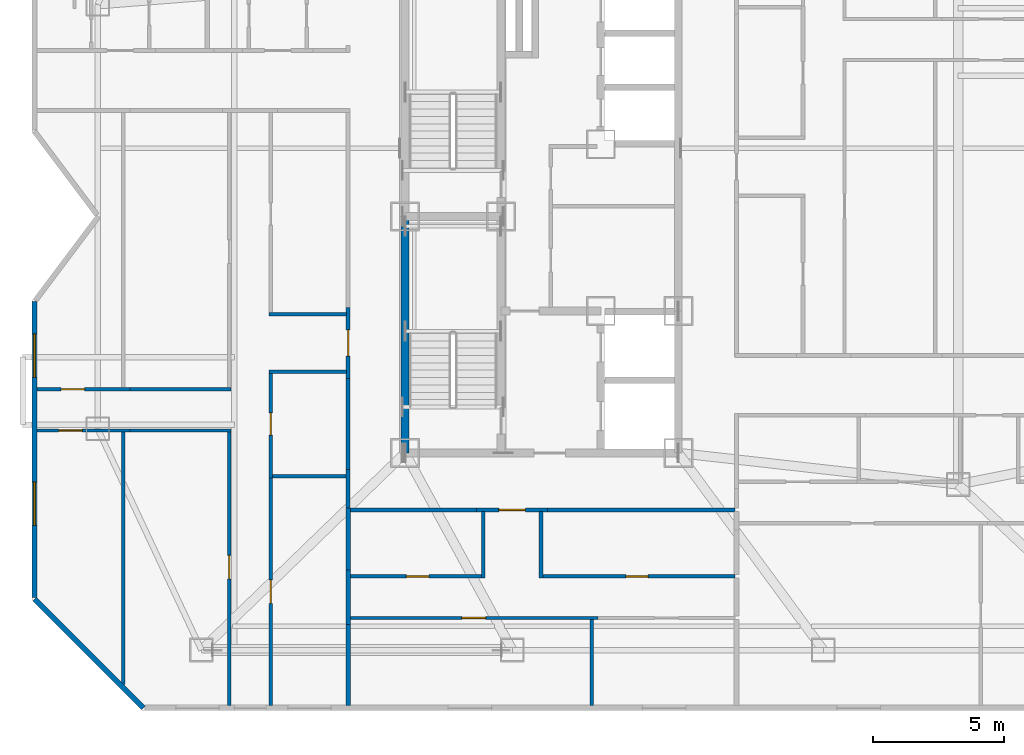
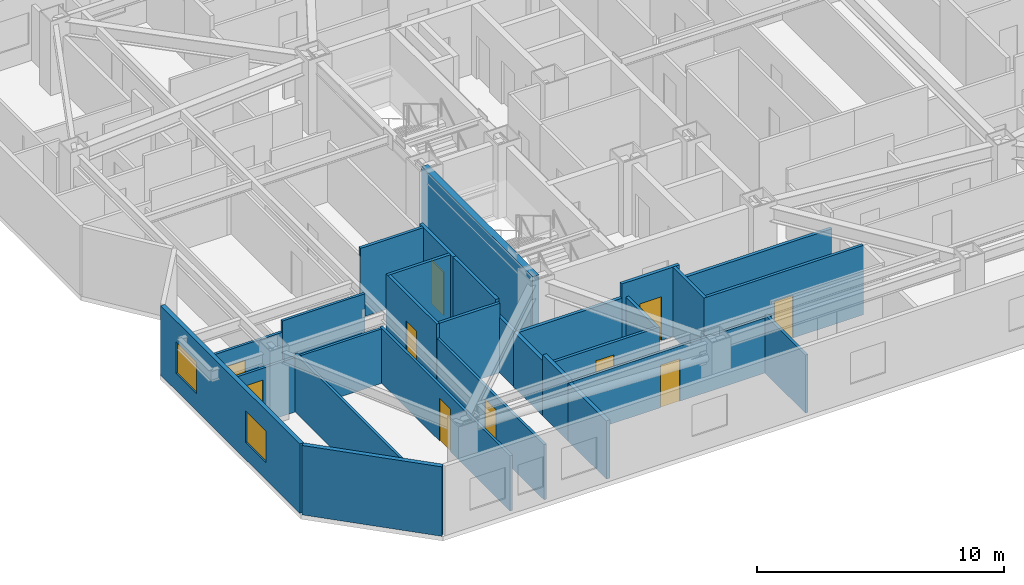
# One storey, part 5 of 12: 29 walls, 10 doors, 2 windows, 12 openings.
"""IFC4 building model written with IfcOpenShell, lengths in metres."""

from ifc_helpers import new_model, si_unit, direction, frame, frame_2d, origin, place, context, subcontext, project, spatial, rectangle, extrude, material, layer, layer_set, type_object, element, fill, save


model = new_model("IFC4")

# Units and contexts
model_context = context("Model", 3, precision=1e-05, world=origin(), true_north=direction((0.0, 1.0)))
body_context = subcontext(model_context, "Body", "Model", "MODEL_VIEW")
ifc_project = project(units=[si_unit("LENGTHUNIT", "METRE"), si_unit("AREAUNIT", "SQUARE_METRE"), si_unit("VOLUMEUNIT", "CUBIC_METRE"), si_unit("PLANEANGLEUNIT", "RADIAN"), si_unit("MASSUNIT", "GRAM", prefix="KILO")], contexts=[model_context])

# Site, building, storey
site_placement = place(None, origin())
site = spatial("IfcSite", under=ifc_project, at=site_placement, CompositionType="ELEMENT")
building_placement = place(site_placement, origin())
building = spatial("IfcBuilding", under=site, at=building_placement, Name="Khamvora Tower", CompositionType="ELEMENT")
storey_placement = place(building_placement, frame((0.0, 0.0, 177.800048828125)))
storey = spatial("IfcBuildingStorey", under=building, at=storey_placement, Name="L45", CompositionType="ELEMENT", Elevation=177.800048828125)

# Walls
ifc_material_1 = material(Name="Concrete C50/60", Category="concrete")
ifc_layer_1 = layer(ifc_material_1, 0.300048828125)
ifc_layer_set_1 = layer_set([ifc_layer_1], Name="Concrete C50/60")
wall_type_1 = type_object("IfcWallType", Name="WAL-CORE-300", PredefinedType="SHEAR", material=ifc_layer_set_1)
wall_1_placement = place(storey_placement, frame((29.0, 19.0, 0.0), z_axis=(0.0, 0.0, 1.0), x_axis=(0.0, 1.0, 0.0)))
element("IfcWall", 1, at=wall_1_placement, inside=storey, type_object=wall_type_1, Name="L45 central core west south wall", PredefinedType="SHEAR", context=body_context, shape_type="SweptSolid", body=[
    extrude(rectangle(XDim=9.0, YDim=0.300048828125, at=frame_2d((4.5, 0.0))), origin(), (0.0, 0.0, 1.0), 3.429931640625),
])
ifc_material_2 = material(Name="Fire-Rated Drywall and Steel Stud", Category="steel")
ifc_layer_2 = layer(ifc_material_2, 0.14990234375)
ifc_layer_set_2 = layer_set([ifc_layer_2], Name="Fire-Rated Drywall and Steel Stud")
wall_type_2 = type_object("IfcWallType", Name="WAL-CORR-150", PredefinedType="STANDARD", material=ifc_layer_set_2)
wall_2_placement = place(storey_placement, frame((26.8349609375, 16.89990234375, 0.0), z_axis=(0.0, 0.0, 1.0), x_axis=(0.0, 1.0, 0.0)))
element("IfcWall", 2, at=wall_2_placement, inside=storey, type_object=wall_type_2, Name="L45 interior partition wall 005", PredefinedType="STANDARD", context=body_context, shape_type="SweptSolid", body=[
    extrude(rectangle(XDim=1.468017578125, YDim=0.14990234375, at=frame_2d((0.73388671875, 0.0))), origin(), (0.0, 0.0, 1.0), 2.724853515625),
])

# Wall, opening, door
wall_3_placement = place(storey_placement, frame((26.8349609375, 21.8349609375, 0.0), z_axis=(0.0, 0.0, 1.0), x_axis=(0.0, 1.0, 0.0)))
wall_3 = element("IfcWall", 3, at=wall_3_placement, inside=storey, type_object=wall_type_2, Name="L45 interior partition wall 006", PredefinedType="STANDARD", context=body_context, shape_type="SweptSolid", body=[
    extrude(rectangle(XDim=2.697998046875, YDim=0.14990234375, at=frame_2d((1.34912109375, 0.0))), origin(), (0.0, 0.0, 1.0), 3.429931640625),
])
opening_1_placement = place(wall_3_placement, frame((0.84912109375, 0.0, 0.0)))
opening_1 = element("IfcOpeningElement", 4, at=opening_1_placement, cuts=wall_3, Name="Opening D-U1", PredefinedType="OPENING", context=body_context, shape_type="SweptSolid", body=[
    extrude(rectangle(XDim=1.0, YDim=2.14990234375, at=frame_2d((0.5, 1.074951171875))), frame((0.0, 0.0849609375, 0.0), z_axis=(0.0, -1.0, 0.0), x_axis=(1.0, 0.0, 0.0)), (0.0, 0.0, 1.0), 0.169921875),
])
ifc_material_3 = material(Name="Powder-Coated Steel and Hardwood Leaf", Category="steel")
door_type_1 = type_object("IfcDoorType", Name="DOR-UNIT-1000", OperationType="NOTDEFINED", PredefinedType="DOOR", material=ifc_material_3)
door_1_placement = place(opening_1_placement, origin())
door_1 = element("IfcDoor", 5, at=door_1_placement, inside=storey, type_object=door_type_1, Name="L45 interior door COR-45WAH", OperationType="SINGLE_SWING_RIGHT", OverallHeight=2.14990234375, OverallWidth=1.0, PredefinedType="DOOR", context=body_context, shape_type="SweptSolid", body=[
    extrude(rectangle(XDim=1.0, YDim=2.14990234375, at=frame_2d((0.5, 1.074951171875))), frame((0.0, 0.02490234375, 0.0), z_axis=(0.0, -1.0, 0.0), x_axis=(1.0, 0.0, 0.0)), (0.0, 0.0, 1.0), 0.050048828125),
])
fill(opening_1, door_1)

# Wall
wall_4_placement = place(storey_placement, frame((26.8349609375, 18.367919921875, 0.0), z_axis=(0.0, 0.0, 1.0), x_axis=(0.0, 1.0, 0.0)))
element("IfcWall", 6, at=wall_4_placement, inside=storey, type_object=wall_type_2, Name="L45 interior partition wall 008", PredefinedType="STANDARD", context=body_context, shape_type="SweptSolid", body=[
    extrude(rectangle(XDim=3.467041015625, YDim=0.14990234375, at=frame_2d((1.7333984375, 0.0))), origin(), (0.0, 0.0, 1.0), 3.429931640625),
])

# Wall, opening, door
wall_5_placement = place(storey_placement, frame((34.424072265625, 16.8349609375, 0.0), z_axis=(0.0, 0.0, 1.0), x_axis=(-1.0, 0.0, 0.0)))
wall_5 = element("IfcWall", 7, at=wall_5_placement, inside=storey, type_object=wall_type_2, Name="L45 interior partition wall 019", PredefinedType="STANDARD", context=body_context, shape_type="SweptSolid", body=[
    extrude(rectangle(XDim=2.697998046875, YDim=0.14990234375, at=frame_2d((1.34912109375, 0.0))), origin(), (0.0, 0.0, 1.0), 3.429931640625),
])
opening_2_placement = place(wall_5_placement, frame((0.84912109375, 0.0, 0.0)))
opening_2 = element("IfcOpeningElement", 8, at=opening_2_placement, cuts=wall_5, Name="Opening D-U1", PredefinedType="OPENING", context=body_context, shape_type="SweptSolid", body=[
    extrude(rectangle(XDim=1.0, YDim=2.14990234375, at=frame_2d((0.5, 1.074951171875))), frame((0.0, 0.0849609375, 0.0), z_axis=(0.0, -1.0, 0.0), x_axis=(1.0, 0.0, 0.0)), (0.0, 0.0, 1.0), 0.169921875),
])
door_2_placement = place(opening_2_placement, origin())
door_2 = element("IfcDoor", 9, at=door_2_placement, inside=storey, type_object=door_type_1, Name="L45 interior door COR-45SAH", OperationType="SINGLE_SWING_LEFT", OverallHeight=2.14990234375, OverallWidth=1.0, PredefinedType="DOOR", context=body_context, shape_type="SweptSolid", body=[
    extrude(rectangle(XDim=1.0, YDim=2.14990234375, at=frame_2d((0.5, 1.074951171875))), frame((0.0, 0.02490234375, 0.0), z_axis=(0.0, -1.0, 0.0), x_axis=(1.0, 0.0, 0.0)), (0.0, 0.0, 1.0), 0.050048828125),
])
fill(opening_2, door_2)

# Walls
wall_6_placement = place(storey_placement, frame((31.72607421875, 16.8349609375, 0.0), z_axis=(0.0, 0.0, 1.0), x_axis=(-1.0, 0.0, 0.0)))
element("IfcWall", 10, at=wall_6_placement, inside=storey, type_object=wall_type_2, Name="L45 interior partition wall 020", PredefinedType="STANDARD", context=body_context, shape_type="SweptSolid", body=[
    extrude(rectangle(XDim=4.826171875, YDim=0.14990234375, at=frame_2d((2.4130859375, 0.0))), origin(), (0.0, 0.0, 1.0), 2.724853515625),
])
wall_7_placement = place(storey_placement, frame((41.550048828125, 16.8349609375, 0.0), z_axis=(0.0, 0.0, 1.0), x_axis=(-1.0, 0.0, 0.0)))
element("IfcWall", 11, at=wall_7_placement, inside=storey, type_object=wall_type_2, Name="L45 interior partition wall 021", PredefinedType="STANDARD", context=body_context, shape_type="SweptSolid", body=[
    extrude(rectangle(XDim=7.1259765625, YDim=0.14990234375, at=frame_2d((3.56298828125, 0.0))), origin(), (0.0, 0.0, 1.0), 2.724853515625),
])
ifc_material_4 = material(Name="Acoustic Double-Stud Fire Wall", Category="gypsum")
ifc_layer_3 = layer(ifc_material_4, 0.179931640625)
ifc_layer_set_3 = layer_set([ifc_layer_3], Name="Acoustic Double-Stud Fire Wall")
wall_type_3 = type_object("IfcWallType", Name="WAL-CORR-180", PredefinedType="STANDARD", material=ifc_layer_set_3)
wall_8_placement = place(storey_placement, frame((26.8349609375, 14.553955078125, 0.0), z_axis=(0.0, 0.0, 1.0), x_axis=(0.0, -1.0, 0.0)))
element("IfcWall", 12, at=wall_8_placement, inside=storey, type_object=wall_type_3, Name="L45 interior partition wall 045", PredefinedType="STANDARD", context=body_context, shape_type="SweptSolid", body=[
    extrude(rectangle(XDim=2.077880859375, YDim=0.179931640625, at=frame_2d((1.0390625, 0.0))), origin(), (0.0, 0.0, 1.0), 3.012939453125),
])
wall_9_placement = place(storey_placement, frame((26.8349609375, 16.89990234375, 0.0), z_axis=(0.0, 0.0, 1.0), x_axis=(0.0, -1.0, 0.0)))
element("IfcWall", 13, at=wall_9_placement, inside=storey, type_object=wall_type_3, Name="L45 interior partition wall 046", PredefinedType="STANDARD", context=body_context, shape_type="SweptSolid", body=[
    extrude(rectangle(XDim=2.345947265625, YDim=0.179931640625, at=frame_2d((1.1728515625, 0.0))), origin(), (0.0, 0.0, 1.0), 2.724853515625),
])
wall_10_placement = place(storey_placement, frame((26.8349609375, 12.47607421875, 0.0), z_axis=(0.0, 0.0, 1.0), x_axis=(0.0, -1.0, 0.0)))
element("IfcWall", 14, at=wall_10_placement, inside=storey, type_object=wall_type_3, Name="L45 interior partition wall 047", PredefinedType="STANDARD", context=body_context, shape_type="SweptSolid", body=[
    extrude(rectangle(XDim=3.083984375, YDim=0.179931640625, at=frame_2d((1.5419921875, 0.0))), origin(), (0.0, 0.0, 1.0), 2.8759765625),
])
ifc_material_5 = material(Name="Precast concrete C40/50", Category="concrete")
ifc_layer_4 = layer(ifc_material_5, 0.199951171875)
ifc_layer_set_4 = layer_set([ifc_layer_4], Name="Precast concrete C40/50")
wall_type_4 = type_object("IfcWallType", Name="WAL-EXT-200", PredefinedType="STANDARD", material=ifc_layer_set_4)
wall_11_placement = place(storey_placement, frame((19.041015625, 9.300048828125, 0.0), z_axis=(0.0, 0.0, 1.0), x_axis=(-0.707127625344, 0.707085936414, 0.0)))
element("IfcWall", 15, at=wall_11_placement, inside=storey, type_object=wall_type_4, Name="L45 exterior facade wall 01.1", PredefinedType="STANDARD", context=body_context, shape_type="SweptSolid", body=[
    extrude(rectangle(XDim=5.856201171875, YDim=0.199951171875, at=frame_2d((2.92822265625, 0.0))), origin(), (0.0, 0.0, 1.0), 3.429931640625),
])

# Wall, openings, windows
wall_12_placement = place(storey_placement, frame((14.89990234375, 13.50390625, 0.0), z_axis=(0.0, 0.0, 1.0), x_axis=(0.0, 1.0, 0.0)))
wall_12 = element("IfcWall", 16, at=wall_12_placement, inside=storey, type_object=wall_type_4, Name="L45 exterior facade wall 02.1", PredefinedType="STANDARD", context=body_context, shape_type="SweptSolid", body=[
    extrude(rectangle(XDim=11.26318359375, YDim=0.199951171875, at=frame_2d((5.631591796875, 0.0))), origin(), (0.0, 0.0, 1.0), 3.429931640625),
])
opening_3_placement = place(wall_12_placement, frame((2.742919921875, 0.0, 0.85009765625)))
opening_3 = element("IfcOpeningElement", 17, at=opening_3_placement, cuts=wall_12, Name="Opening WN-06", PredefinedType="OPENING", context=body_context, shape_type="SweptSolid", body=[
    extrude(rectangle(XDim=1.64990234375, YDim=1.550048828125, at=frame_2d((0.824951171875, 0.77490234375))), frame((0.0, 0.10986328125, 0.0), z_axis=(0.0, -1.0, 0.0), x_axis=(1.0, 0.0, 0.0)), (0.0, 0.0, 1.0), 0.219970703125),
])
opening_4_placement = place(wall_12_placement, frame((8.375, 0.0, 0.85009765625)))
opening_4 = element("IfcOpeningElement", 18, at=opening_4_placement, cuts=wall_12, Name="Opening WN-06", PredefinedType="OPENING", context=body_context, shape_type="SweptSolid", body=[
    extrude(rectangle(XDim=1.64990234375, YDim=1.550048828125, at=frame_2d((0.824951171875, 0.77490234375))), frame((0.0, 0.10986328125, 0.0), z_axis=(0.0, -1.0, 0.0), x_axis=(1.0, 0.0, 0.0)), (0.0, 0.0, 1.0), 0.219970703125),
])
ifc_material_6 = material(Name="Low-E Laminated Double Glazing", Category="glass")
window_type = type_object("IfcWindowType", Name="WIN-VIS-1650x1550", PartitioningType="SINGLE_PANEL", PredefinedType="WINDOW", material=ifc_material_6)
window_1_placement = place(opening_3_placement, origin())
window_1 = element("IfcWindow", 19, at=window_1_placement, inside=storey, type_object=window_type, Name="L45 vision window 02.1.01", OverallHeight=1.550048828125, OverallWidth=1.64990234375, PartitioningType="SINGLE_PANEL", PredefinedType="WINDOW", context=body_context, shape_type="SweptSolid", body=[
    extrude(rectangle(XDim=1.64990234375, YDim=1.550048828125, at=frame_2d((0.824951171875, 0.77490234375))), frame((0.0, 0.030029296875, 0.0), z_axis=(0.0, -1.0, 0.0), x_axis=(1.0, 0.0, 0.0)), (0.0, 0.0, 1.0), 0.06005859375),
])
fill(opening_3, window_1)
window_2_placement = place(opening_4_placement, origin())
window_2 = element("IfcWindow", 20, at=window_2_placement, inside=storey, type_object=window_type, Name="L45 vision window 02.1.02", OverallHeight=1.550048828125, OverallWidth=1.64990234375, PartitioningType="SINGLE_PANEL", PredefinedType="WINDOW", context=body_context, shape_type="SweptSolid", body=[
    extrude(rectangle(XDim=1.64990234375, YDim=1.550048828125, at=frame_2d((0.824951171875, 0.77490234375))), frame((0.0, 0.030029296875, 0.0), z_axis=(0.0, -1.0, 0.0), x_axis=(1.0, 0.0, 0.0)), (0.0, 0.0, 1.0), 0.06005859375),
])
fill(opening_4, window_2)

# Wall, opening, door
ifc_material_7 = material(Name="Gypsum Plasterboard Partition", Category="gypsum")
ifc_layer_5 = layer(ifc_material_7, 0.1201171875)
ifc_layer_set_5 = layer_set([ifc_layer_5], Name="Gypsum Plasterboard Partition")
wall_type_5 = type_object("IfcWallType", Name="WAL-PART-120", PredefinedType="PARTITIONING", material=ifc_layer_set_5)
wall_13_placement = place(storey_placement, frame((23.889892578125, 9.39208984375, 0.0), z_axis=(0.0, 0.0, 1.0), x_axis=(0.0, 1.0, 0.0)))
wall_13 = element("IfcWall", 21, at=wall_13_placement, inside=storey, type_object=wall_type_5, Name="L45 interior partition wall 043", PredefinedType="PARTITIONING", context=body_context, shape_type="SweptSolid", body=[
    extrude(rectangle(XDim=8.661865234375, YDim=0.1201171875, at=frame_2d((4.3310546875, 0.0))), origin(), (0.0, 0.0, 1.0), 2.724853515625),
])
opening_5_placement = place(wall_13_placement, frame((3.881103515625, 0.0, 0.0)))
opening_5 = element("IfcOpeningElement", 22, at=opening_5_placement, cuts=wall_13, Name="Opening D-RM1", PredefinedType="OPENING", context=body_context, shape_type="SweptSolid", body=[
    extrude(rectangle(XDim=0.89990234375, YDim=2.10009765625, at=frame_2d((0.449951171875, 1.050048828125))), frame((0.0, 0.070068359375, 0.0), z_axis=(0.0, -1.0, 0.0), x_axis=(1.0, 0.0, 0.0)), (0.0, 0.0, 1.0), 0.14013671875),
])
door_type_2 = type_object("IfcDoorType", Name="DOR-ROOM-900", OperationType="NOTDEFINED", PredefinedType="DOOR", material=ifc_material_3)
door_3_placement = place(opening_5_placement, origin())
door_3 = element("IfcDoor", 23, at=door_3_placement, inside=storey, type_object=door_type_2, Name="L45 interior door 45WAW1-45WAH", OperationType="SINGLE_SWING_RIGHT", OverallHeight=2.10009765625, OverallWidth=0.89990234375, PredefinedType="DOOR", context=body_context, shape_type="SweptSolid", body=[
    extrude(rectangle(XDim=0.89990234375, YDim=2.10009765625, at=frame_2d((0.449951171875, 1.050048828125))), frame((0.0, 0.02490234375, 0.0), z_axis=(0.0, -1.0, 0.0), x_axis=(1.0, 0.0, 0.0)), (0.0, 0.0, 1.0), 0.050048828125),
])
fill(opening_5, door_3)

wall_14_placement = place(storey_placement, frame((18.52294921875, 19.85498046875, 0.0), z_axis=(0.0, 0.0, 1.0), x_axis=(-1.0, 0.0, 0.0)))
wall_14 = element("IfcWall", 24, at=wall_14_placement, inside=storey, type_object=wall_type_5, Name="L45 interior partition wall 052", PredefinedType="PARTITIONING", context=body_context, shape_type="SweptSolid", body=[
    extrude(rectangle(XDim=3.531005859375, YDim=0.1201171875, at=frame_2d((1.765625, 0.0))), origin(), (0.0, 0.0, 1.0), 2.68701171875),
])
opening_6_placement = place(wall_14_placement, frame((1.81005859375, 0.0, 0.0)))
opening_6 = element("IfcOpeningElement", 25, at=opening_6_placement, cuts=wall_14, Name="Opening D-RM1", PredefinedType="OPENING", context=body_context, shape_type="SweptSolid", body=[
    extrude(rectangle(XDim=0.89990234375, YDim=2.10009765625, at=frame_2d((0.449951171875, 1.050048828125))), frame((0.0, 0.070068359375, 0.0), z_axis=(0.0, -1.0, 0.0), x_axis=(1.0, 0.0, 0.0)), (0.0, 0.0, 1.0), 0.14013671875),
])
door_4_placement = place(opening_6_placement, origin())
door_4 = element("IfcDoor", 26, at=door_4_placement, inside=storey, type_object=door_type_2, Name="L45 interior door 45WAH-45WAL", OperationType="SINGLE_SWING_RIGHT", OverallHeight=2.10009765625, OverallWidth=0.89990234375, PredefinedType="DOOR", context=body_context, shape_type="SweptSolid", body=[
    extrude(rectangle(XDim=0.89990234375, YDim=2.10009765625, at=frame_2d((0.449951171875, 1.050048828125))), frame((0.0, 0.02490234375, 0.0), z_axis=(0.0, -1.0, 0.0), x_axis=(1.0, 0.0, 0.0)), (0.0, 0.0, 1.0), 0.050048828125),
])
fill(opening_6, door_4)

wall_15_placement = place(storey_placement, frame((22.31005859375, 9.39208984375, 0.0), z_axis=(0.0, 0.0, 1.0), x_axis=(0.0, 1.0, 0.0)))
wall_15 = element("IfcWall", 27, at=wall_15_placement, inside=storey, type_object=wall_type_5, Name="L45 interior partition wall 053", PredefinedType="PARTITIONING", context=body_context, shape_type="SweptSolid", body=[
    extrude(rectangle(XDim=10.52783203125, YDim=0.1201171875, at=frame_2d((5.263916015625, 0.0))), origin(), (0.0, 0.0, 1.0), 2.724853515625),
])
opening_7_placement = place(wall_15_placement, frame((4.81396484375, 0.0, 0.0)))
opening_7 = element("IfcOpeningElement", 28, at=opening_7_placement, cuts=wall_15, Name="Opening D-RM1", PredefinedType="OPENING", context=body_context, shape_type="SweptSolid", body=[
    extrude(rectangle(XDim=0.89990234375, YDim=2.10009765625, at=frame_2d((0.449951171875, 1.050048828125))), frame((0.0, 0.070068359375, 0.0), z_axis=(0.0, -1.0, 0.0), x_axis=(1.0, 0.0, 0.0)), (0.0, 0.0, 1.0), 0.14013671875),
])
door_5_placement = place(opening_7_placement, origin())
door_5 = element("IfcDoor", 29, at=door_5_placement, inside=storey, type_object=door_type_2, Name="L45 interior door 45WAH-45WAR2", OperationType="SINGLE_SWING_RIGHT", OverallHeight=2.10009765625, OverallWidth=0.89990234375, PredefinedType="DOOR", context=body_context, shape_type="SweptSolid", body=[
    extrude(rectangle(XDim=0.89990234375, YDim=2.10009765625, at=frame_2d((0.449951171875, 1.050048828125))), frame((0.0, 0.02490234375, 0.0), z_axis=(0.0, -1.0, 0.0), x_axis=(1.0, 0.0, 0.0)), (0.0, 0.0, 1.0), 0.050048828125),
])
fill(opening_7, door_5)

# Wall
wall_16_placement = place(storey_placement, frame((22.375, 19.85498046875, 0.0), z_axis=(0.0, 0.0, 1.0), x_axis=(-1.0, 0.0, 0.0)))
element("IfcWall", 30, at=wall_16_placement, inside=storey, type_object=wall_type_5, Name="L45 interior partition wall 054", PredefinedType="PARTITIONING", context=body_context, shape_type="SweptSolid", body=[
    extrude(rectangle(XDim=3.85205078125, YDim=0.1201171875, at=frame_2d((1.926025390625, 0.0))), origin(), (0.0, 0.0, 1.0), 2.68701171875),
])

# Wall, opening, door
wall_17_placement = place(storey_placement, frame((14.991943359375, 21.425048828125, 0.0), z_axis=(0.0, 0.0, 1.0), x_axis=(1.0, 0.0, 0.0)))
wall_17 = element("IfcWall", 31, at=wall_17_placement, inside=storey, type_object=wall_type_5, Name="L45 interior partition wall 055", PredefinedType="PARTITIONING", context=body_context, shape_type="SweptSolid", body=[
    extrude(rectangle(XDim=3.531005859375, YDim=0.1201171875, at=frame_2d((1.765625, 0.0))), origin(), (0.0, 0.0, 1.0), 2.8759765625),
])
opening_8_placement = place(wall_17_placement, frame((0.916015625, 0.0, 0.0)))
opening_8 = element("IfcOpeningElement", 32, at=opening_8_placement, cuts=wall_17, Name="Opening D-RM1", PredefinedType="OPENING", context=body_context, shape_type="SweptSolid", body=[
    extrude(rectangle(XDim=0.89990234375, YDim=2.10009765625, at=frame_2d((0.449951171875, 1.050048828125))), frame((0.0, 0.070068359375, 0.0), z_axis=(0.0, -1.0, 0.0), x_axis=(1.0, 0.0, 0.0)), (0.0, 0.0, 1.0), 0.14013671875),
])
door_6_placement = place(opening_8_placement, origin())
door_6 = element("IfcDoor", 33, at=door_6_placement, inside=storey, type_object=door_type_2, Name="L45 interior door 45WAH-45WAR3", OperationType="SINGLE_SWING_RIGHT", OverallHeight=2.10009765625, OverallWidth=0.89990234375, PredefinedType="DOOR", context=body_context, shape_type="SweptSolid", body=[
    extrude(rectangle(XDim=0.89990234375, YDim=2.10009765625, at=frame_2d((0.449951171875, 1.050048828125))), frame((0.0, 0.02490234375, 0.0), z_axis=(0.0, -1.0, 0.0), x_axis=(1.0, 0.0, 0.0)), (0.0, 0.0, 1.0), 0.050048828125),
])
fill(opening_8, door_6)

# Walls
wall_18_placement = place(storey_placement, frame((18.52294921875, 21.425048828125, 0.0), z_axis=(0.0, 0.0, 1.0), x_axis=(1.0, 0.0, 0.0)))
element("IfcWall", 34, at=wall_18_placement, inside=storey, type_object=wall_type_5, Name="L45 interior partition wall 056", PredefinedType="PARTITIONING", context=body_context, shape_type="SweptSolid", body=[
    extrude(rectangle(XDim=3.85205078125, YDim=0.1201171875, at=frame_2d((1.926025390625, 0.0))), origin(), (0.0, 0.0, 1.0), 3.429931640625),
])
wall_19_placement = place(storey_placement, frame((18.27392578125, 19.801025390625, 0.0), z_axis=(0.0, 0.0, 1.0), x_axis=(0.0, -1.0, 0.0)))
element("IfcWall", 35, at=wall_19_placement, inside=storey, type_object=wall_type_5, Name="L45 interior partition wall 058", PredefinedType="PARTITIONING", context=body_context, shape_type="SweptSolid", body=[
    extrude(rectangle(XDim=9.619140625, YDim=0.1201171875, at=frame_2d((4.8095703125, 0.0))), origin(), (0.0, 0.0, 1.0), 2.8759765625),
])

# Wall, opening, door
wall_20_placement = place(storey_placement, frame((36.35302734375, 12.72509765625, 0.0), z_axis=(0.0, 0.0, 1.0), x_axis=(-1.0, 0.0, 0.0)))
wall_20 = element("IfcWall", 36, at=wall_20_placement, inside=storey, type_object=wall_type_5, Name="L45 interior partition wall 083", PredefinedType="PARTITIONING", context=body_context, shape_type="SweptSolid", body=[
    extrude(rectangle(XDim=9.43603515625, YDim=0.1201171875, at=frame_2d((4.718017578125, 0.0))), origin(), (0.0, 0.0, 1.0), 2.724853515625),
])
opening_9_placement = place(wall_20_placement, frame((4.2890625, 0.0, 0.0)))
opening_9 = element("IfcOpeningElement", 37, at=opening_9_placement, cuts=wall_20, Name="Opening D-RM1", PredefinedType="OPENING", context=body_context, shape_type="SweptSolid", body=[
    extrude(rectangle(XDim=0.89990234375, YDim=2.10009765625, at=frame_2d((0.449951171875, 1.050048828125))), frame((0.0, 0.070068359375, 0.0), z_axis=(0.0, -1.0, 0.0), x_axis=(1.0, 0.0, 0.0)), (0.0, 0.0, 1.0), 0.14013671875),
])
door_7_placement = place(opening_9_placement, origin())
door_7 = element("IfcDoor", 38, at=door_7_placement, inside=storey, type_object=door_type_2, Name="L45 interior door 45SAH-45SAL", OperationType="SINGLE_SWING_RIGHT", OverallHeight=2.10009765625, OverallWidth=0.89990234375, PredefinedType="DOOR", context=body_context, shape_type="SweptSolid", body=[
    extrude(rectangle(XDim=0.89990234375, YDim=2.10009765625, at=frame_2d((0.449951171875, 1.050048828125))), frame((0.0, 0.02490234375, 0.0), z_axis=(0.0, -1.0, 0.0), x_axis=(1.0, 0.0, 0.0)), (0.0, 0.0, 1.0), 0.050048828125),
])
fill(opening_9, door_7)

# Walls
wall_21_placement = place(storey_placement, frame((36.10400390625, 12.6708984375, 0.0), z_axis=(0.0, 0.0, 1.0), x_axis=(0.0, -1.0, 0.0)))
element("IfcWall", 39, at=wall_21_placement, inside=storey, type_object=wall_type_5, Name="L45 interior partition wall 088", PredefinedType="PARTITIONING", context=body_context, shape_type="SweptSolid", body=[
    extrude(rectangle(XDim=3.27880859375, YDim=0.1201171875, at=frame_2d((1.639404296875, 0.0))), origin(), (0.0, 0.0, 1.0), 2.8759765625),
])
ifc_material_8 = material(Name="Moisture-Resistant Plasterboard Partition", Category="gypsum")
ifc_layer_6 = layer(ifc_material_8, 0.135009765625)
ifc_layer_set_6 = layer_set([ifc_layer_6], Name="Moisture-Resistant Plasterboard Partition")
wall_type_6 = type_object("IfcWallType", Name="WAL-WET-135", PredefinedType="PARTITIONING", material=ifc_layer_set_6)
wall_22_placement = place(storey_placement, frame((23.955078125, 18.118896484375, 0.0), z_axis=(0.0, 0.0, 1.0), x_axis=(1.0, 0.0, 0.0)))
element("IfcWall", 40, at=wall_22_placement, inside=storey, type_object=wall_type_6, Name="L45 interior partition wall 044", PredefinedType="PARTITIONING", context=body_context, shape_type="SweptSolid", body=[
    extrude(rectangle(XDim=2.81494140625, YDim=0.135009765625, at=frame_2d((1.407470703125, 0.0))), origin(), (0.0, 0.0, 1.0), 3.429931640625),
])
wall_23_placement = place(storey_placement, frame((26.77001953125, 22.083984375, 0.0), z_axis=(0.0, 0.0, 1.0), x_axis=(-1.0, 0.0, 0.0)))
element("IfcWall", 41, at=wall_23_placement, inside=storey, type_object=wall_type_6, Name="L45 interior partition wall 048", PredefinedType="PARTITIONING", context=body_context, shape_type="SweptSolid", body=[
    extrude(rectangle(XDim=2.945068359375, YDim=0.135009765625, at=frame_2d((1.47265625, 0.0))), origin(), (0.0, 0.0, 1.0), 3.429931640625),
])

# Wall, opening, door
wall_24_placement = place(storey_placement, frame((23.889892578125, 22.14892578125, 0.0), z_axis=(0.0, 0.0, 1.0), x_axis=(0.0, -1.0, 0.0)))
wall_24 = element("IfcWall", 42, at=wall_24_placement, inside=storey, type_object=wall_type_6, Name="L45 interior partition wall 049", PredefinedType="PARTITIONING", context=body_context, shape_type="SweptSolid", body=[
    extrude(rectangle(XDim=4.094970703125, YDim=0.135009765625, at=frame_2d((2.04736328125, 0.0))), origin(), (0.0, 0.0, 1.0), 3.429931640625),
])
opening_10_placement = place(wall_24_placement, frame((1.6220703125, 0.0, 0.0)))
opening_10 = element("IfcOpeningElement", 43, at=opening_10_placement, cuts=wall_24, Name="Opening D-WC1", PredefinedType="OPENING", context=body_context, shape_type="SweptSolid", body=[
    extrude(rectangle(XDim=0.85009765625, YDim=2.10009765625, at=frame_2d((0.425048828125, 1.050048828125))), frame((0.0, 0.077392578125, 0.0), z_axis=(0.0, -1.0, 0.0), x_axis=(1.0, 0.0, 0.0)), (0.0, 0.0, 1.0), 0.155029296875),
])
door_type_3 = type_object("IfcDoorType", Name="DOR-WET-850", OperationType="NOTDEFINED", PredefinedType="DOOR", material=ifc_material_3)
door_8_placement = place(opening_10_placement, origin())
door_8 = element("IfcDoor", 44, at=door_8_placement, inside=storey, type_object=door_type_3, Name="L45 interior door 45WAH-45WAB", OperationType="SINGLE_SWING_LEFT", OverallHeight=2.10009765625, OverallWidth=0.85009765625, PredefinedType="DOOR", context=body_context, shape_type="SweptSolid", body=[
    extrude(rectangle(XDim=0.85009765625, YDim=2.10009765625, at=frame_2d((0.425048828125, 1.050048828125))), frame((0.0, 0.02490234375, 0.0), z_axis=(0.0, -1.0, 0.0), x_axis=(1.0, 0.0, 0.0)), (0.0, 0.0, 1.0), 0.050048828125),
])
fill(opening_10, door_8)

# Wall
wall_25_placement = place(storey_placement, frame((23.824951171875, 24.283935546875, 0.0), z_axis=(0.0, 0.0, 1.0), x_axis=(1.0, 0.0, 0.0)))
element("IfcWall", 45, at=wall_25_placement, inside=storey, type_object=wall_type_6, Name="L45 interior partition wall 051", PredefinedType="PARTITIONING", context=body_context, shape_type="SweptSolid", body=[
    extrude(rectangle(XDim=2.945068359375, YDim=0.135009765625, at=frame_2d((1.47265625, 0.0))), origin(), (0.0, 0.0, 1.0), 3.429931640625),
])

# Wall, opening, door
wall_26_placement = place(storey_placement, frame((26.9169921875, 14.304931640625, 0.0), z_axis=(0.0, 0.0, 1.0), x_axis=(1.0, 0.0, 0.0)))
wall_26 = element("IfcWall", 46, at=wall_26_placement, inside=storey, type_object=wall_type_6, Name="L45 interior partition wall 079", PredefinedType="PARTITIONING", context=body_context, shape_type="SweptSolid", body=[
    extrude(rectangle(XDim=5.123046875, YDim=0.135009765625, at=frame_2d((2.5615234375, 0.0))), origin(), (0.0, 0.0, 1.0), 2.724853515625),
])
opening_11_placement = place(wall_26_placement, frame((2.136962890625, 0.0, 0.0)))
opening_11 = element("IfcOpeningElement", 47, at=opening_11_placement, cuts=wall_26, Name="Opening D-WC1", PredefinedType="OPENING", context=body_context, shape_type="SweptSolid", body=[
    extrude(rectangle(XDim=0.85009765625, YDim=2.10009765625, at=frame_2d((0.425048828125, 1.050048828125))), frame((0.0, 0.077392578125, 0.0), z_axis=(0.0, -1.0, 0.0), x_axis=(1.0, 0.0, 0.0)), (0.0, 0.0, 1.0), 0.155029296875),
])
door_9_placement = place(opening_11_placement, origin())
door_9 = element("IfcDoor", 48, at=door_9_placement, inside=storey, type_object=door_type_3, Name="L45 interior door 45SAH-45SAB", OperationType="SINGLE_SWING_LEFT", OverallHeight=2.10009765625, OverallWidth=0.85009765625, PredefinedType="DOOR", context=body_context, shape_type="SweptSolid", body=[
    extrude(rectangle(XDim=0.85009765625, YDim=2.10009765625, at=frame_2d((0.425048828125, 1.050048828125))), frame((0.0, 0.02490234375, 0.0), z_axis=(0.0, -1.0, 0.0), x_axis=(1.0, 0.0, 0.0)), (0.0, 0.0, 1.0), 0.050048828125),
])
fill(opening_11, door_9)

# Walls
wall_27_placement = place(storey_placement, frame((31.97509765625, 14.239990234375, 0.0), z_axis=(0.0, 0.0, 1.0), x_axis=(0.0, 1.0, 0.0)))
element("IfcWall", 49, at=wall_27_placement, inside=storey, type_object=wall_type_6, Name="L45 interior partition wall 080", PredefinedType="PARTITIONING", context=body_context, shape_type="SweptSolid", body=[
    extrude(rectangle(XDim=2.530029296875, YDim=0.135009765625, at=frame_2d((1.26513671875, 0.0))), origin(), (0.0, 0.0, 1.0), 2.724853515625),
])
wall_28_placement = place(storey_placement, frame((34.175048828125, 16.77001953125, 0.0), z_axis=(0.0, 0.0, 1.0), x_axis=(0.0, -1.0, 0.0)))
element("IfcWall", 50, at=wall_28_placement, inside=storey, type_object=wall_type_6, Name="L45 interior partition wall 081", PredefinedType="PARTITIONING", context=body_context, shape_type="SweptSolid", body=[
    extrude(rectangle(XDim=2.530029296875, YDim=0.135009765625, at=frame_2d((1.26513671875, 0.0))), origin(), (0.0, 0.0, 1.0), 3.429931640625),
])

# Wall, opening, door
wall_29_placement = place(storey_placement, frame((34.110107421875, 14.304931640625, 0.0), z_axis=(0.0, 0.0, 1.0), x_axis=(1.0, 0.0, 0.0)))
wall_29 = element("IfcWall", 51, at=wall_29_placement, inside=storey, type_object=wall_type_6, Name="L45 interior partition wall 082", PredefinedType="PARTITIONING", context=body_context, shape_type="SweptSolid", body=[
    extrude(rectangle(XDim=7.43994140625, YDim=0.135009765625, at=frame_2d((3.719970703125, 0.0))), origin(), (0.0, 0.0, 1.0), 3.429931640625),
])
opening_12_placement = place(wall_29_placement, frame((3.294921875, 0.0, 0.0)))
opening_12 = element("IfcOpeningElement", 52, at=opening_12_placement, cuts=wall_29, Name="Opening D-RM2", PredefinedType="OPENING", context=body_context, shape_type="SweptSolid", body=[
    extrude(rectangle(XDim=0.85009765625, YDim=2.10009765625, at=frame_2d((0.425048828125, 1.050048828125))), frame((0.0, 0.077392578125, 0.0), z_axis=(0.0, -1.0, 0.0), x_axis=(1.0, 0.0, 0.0)), (0.0, 0.0, 1.0), 0.155029296875),
])
door_type_4 = type_object("IfcDoorType", Name="DOR-ROOM-850", OperationType="NOTDEFINED", PredefinedType="DOOR", material=ifc_material_3)
door_10_placement = place(opening_12_placement, origin())
door_10 = element("IfcDoor", 53, at=door_10_placement, inside=storey, type_object=door_type_4, Name="L45 interior door 45SAH-45SAK", OperationType="SINGLE_SWING_RIGHT", OverallHeight=2.10009765625, OverallWidth=0.85009765625, PredefinedType="DOOR", context=body_context, shape_type="SweptSolid", body=[
    extrude(rectangle(XDim=0.85009765625, YDim=2.10009765625, at=frame_2d((0.425048828125, 1.050048828125))), frame((0.0, 0.02490234375, 0.0), z_axis=(0.0, -1.0, 0.0), x_axis=(1.0, 0.0, 0.0)), (0.0, 0.0, 1.0), 0.050048828125),
])
fill(opening_12, door_10)

save(model, "model.ifc")
